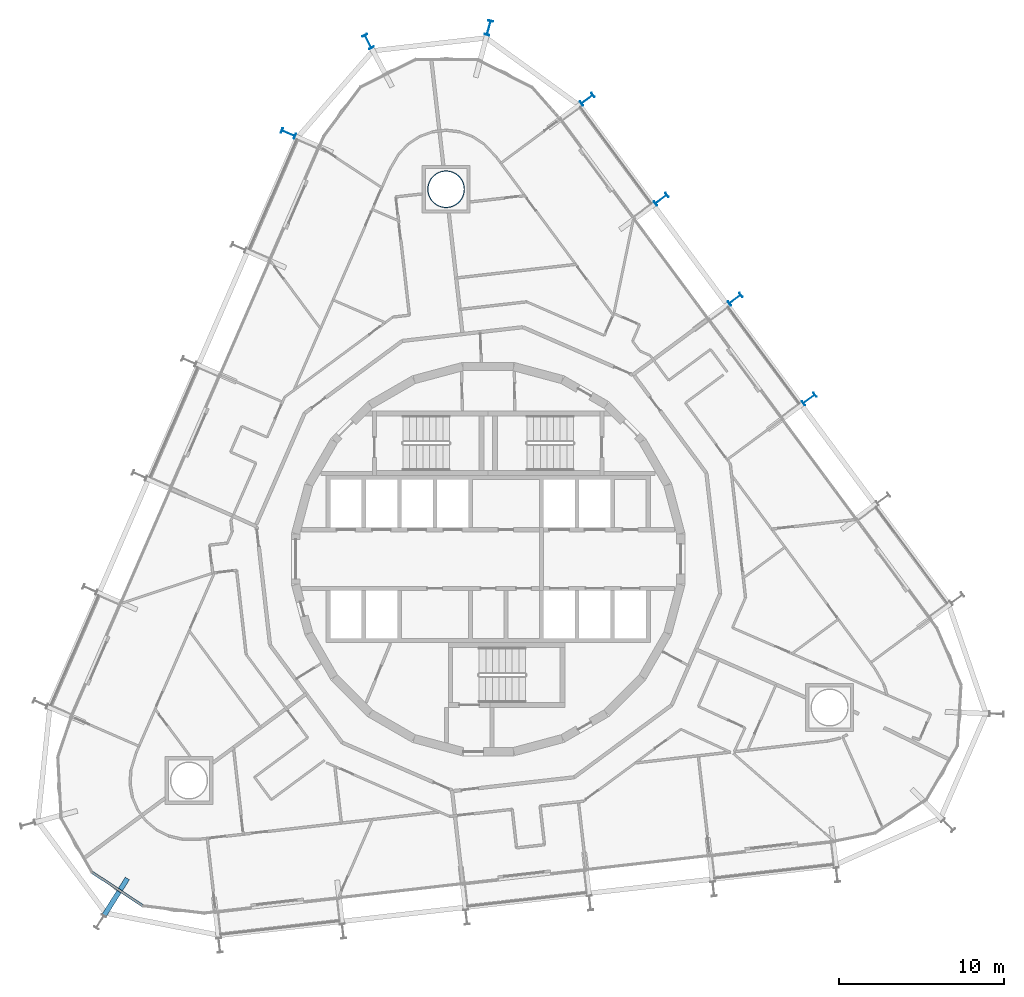
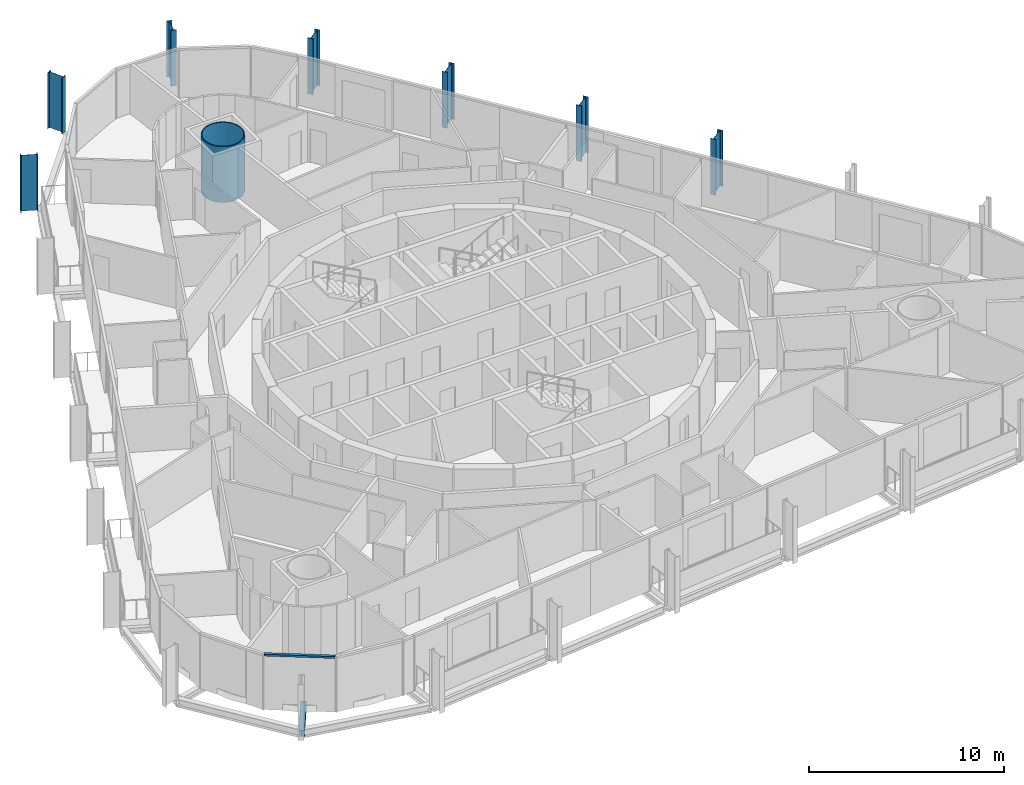
# One storey, part 2 of 22: 8 columns, 1 beam, 1 member, 1 element without a shape of its own.
"""IFC4 building model written with IfcOpenShell, lengths in metres."""

from ifc_helpers import new_model, si_unit, direction, frame, origin, origin_2d, place, context, subcontext, project, spatial, rectangle, hollow_circle, i_section, extrude, material, layer, layer_set, material_profile, profile_set, type_object, element, aggregate, save


model = new_model("IFC4")

# Units and contexts
model_context = context("Model", 3, precision=1e-05, world=origin(), true_north=direction((0.0, 1.0)))
body_context = subcontext(model_context, "Body", "Model", "MODEL_VIEW")
ifc_project = project(units=[si_unit("LENGTHUNIT", "METRE"), si_unit("AREAUNIT", "SQUARE_METRE"), si_unit("VOLUMEUNIT", "CUBIC_METRE"), si_unit("PLANEANGLEUNIT", "RADIAN"), si_unit("MASSUNIT", "GRAM", prefix="KILO")], contexts=[model_context])

# Site, building, storey
site_placement = place(None, origin())
site = spatial("IfcSite", under=ifc_project, at=site_placement, CompositionType="ELEMENT")
building_placement = place(site_placement, origin())
building = spatial("IfcBuilding", under=site, at=building_placement, Name="Spindle Arch Residences", CompositionType="ELEMENT")
storey_placement = place(building_placement, frame((0.0, 0.0, 80.199951171875)))
storey = spatial("IfcBuildingStorey", under=building, at=storey_placement, Name="L18", CompositionType="ELEMENT", Elevation=80.199951171875)

# Columns
ifc_material_1 = material(Name="Steel S460ML, intumescent coating R 240", Category="steel")
ifc_material_profile_1 = material_profile(ifc_material_1, i_section(OverallWidth=0.300048828125, OverallDepth=0.89990234375, WebThickness=0.0185546875, FlangeThickness=0.034912109375, FilletRadius=0.030029296875, at=origin_2d()), Name="HEB 900")
ifc_profile_set_1 = profile_set([ifc_material_profile_1], Name="Steel S460ML, intumescent coating R 240")
column_type_1 = type_object("IfcColumnType", Name="Exoskeleton post HEB 900", PredefinedType="COLUMN", material=ifc_profile_set_1)
for number, where, z_axis, x_axis, name in (
    (1, (19.404541015625, 9.681884765625, -0.3798828125), (0.0, 0.0, 1.0), (0.594822857897, -0.803856807972, 0.0), "Exoskeleton post 8"),
    (2, (14.93212890625, 15.72607421875, -0.3798828125), (0.0, 0.0, 1.0), (0.594822857897, -0.803856807972, 0.0), "Exoskeleton post 9"),
    (3, (10.459716796875, 21.77001953125, -0.3798828125), (0.0, 0.0, 1.0), (0.594822857897, -0.803856807972, 0.0), "Exoskeleton post 10"),
    (4, (5.987548828125, 27.814208984375, -0.3798828125), (0.0, 0.0, 1.0), (0.594822857897, -0.803856807972, 0.0), "Exoskeleton post 11"),
    (5, (0.035888671875, 32.134033203125, -0.3798828125), (0.0, 0.0, 1.0), (0.966704856799, -0.255893962102, 0.0), "Exoskeleton post 12"),
    (6, (-7.263427734375, 31.302490234375, -0.3798828125), (0.0, 0.0, 1.0), (0.884364605378, 0.466796791715, 0.0), "Exoskeleton post 13"),
    (7, (-12.0908203125, 25.75439453125, -0.3798828125), (0.0, 0.0, 1.0), (0.398749038162, 0.917060087761, 0.0), "Exoskeleton post 14"),
):
    element("IfcColumn", number, at=place(storey_placement, frame(where, z_axis=z_axis, x_axis=x_axis)), inside=storey, type_object=column_type_1, Name=name, PredefinedType="COLUMN", context=body_context, shape_type="SweptSolid", body=[
        extrude(i_section(OverallWidth=0.300048828125, OverallDepth=0.89990234375, WebThickness=0.0185546875, FlangeThickness=0.034912109375, FilletRadius=0.030029296875, at=origin_2d()), origin(), (0.0, 0.0, 1.0), 3.5),
    ])
ifc_material_2 = material(Name="Concrete C50/60 filled steel tube S460ML, intumescent coating R 240", Category="concrete")
ifc_material_profile_2 = material_profile(ifc_material_2, hollow_circle(Radius=1.125, WallThickness=0.054931640625, at=origin_2d()), Name="CFT D2250x55")
ifc_profile_set_2 = profile_set([ifc_material_profile_2], Name="Concrete C50/60 filled steel tube S460ML, intumescent coating R 240")
column_type_2 = type_object("IfcColumnType", Name="Mega-column CFT D2250x55", PredefinedType="COLUMN", material=ifc_profile_set_2)
column_placement = place(storey_placement, frame((-2.548828125, 22.370361328125, -0.3798828125), z_axis=(0.0, 0.0, 1.0), x_axis=(1.0, 0.0, 0.0)))
element("IfcColumn", 8, at=column_placement, inside=storey, type_object=column_type_2, Name="Mega-column 2", PredefinedType="COLUMN", context=body_context, shape_type="SweptSolid", body=[
    extrude(hollow_circle(Radius=1.125, WallThickness=0.054931640625, at=origin_2d()), origin(), (0.0, 0.0, 1.0), 3.5),
])

# Curtain wall, member
ifc_material_3 = material(Name="Aluminium bronze unitised frame with tinted glass", Category="aluminium")
ifc_layer = layer(ifc_material_3, 0.159912109375)
ifc_layer_set = layer_set([ifc_layer], Name="CW-D corner wall on the fillet arcs")
curtain_wall_type = type_object("IfcCurtainWallType", Name="CW-D corner wall on the fillet arcs", PredefinedType="NOTDEFINED", material=ifc_layer_set)
curtain_wall_placement = place(storey_placement, origin())
curtain_wall = element("IfcCurtainWall", 9, at=curtain_wall_placement, inside=storey, type_object=curtain_wall_type, Name="CW-D L18 run 5", PredefinedType="NOTDEFINED")
ifc_material_4 = material(Name="Aluminium bronze anodised transom", Category="aluminium")
ifc_material_profile_3 = material_profile(ifc_material_4, rectangle(XDim=0.159912109375, YDim=0.1201171875, at=origin_2d()), Name="TR 120x160")
ifc_profile_set_3 = profile_set([ifc_material_profile_3], Name="Aluminium bronze anodised transom")
member_type = type_object("IfcMemberType", Name="Bronze transom 120x160", PredefinedType="USERDEFINED", material=ifc_profile_set_3)
member_placement = place(storey_placement, frame((-23.967041015625, -18.936767578125, 3.06005859375), z_axis=(0.833899758412, -0.551915929214, 0.0), x_axis=(0.551915929214, 0.833899758412, 0.0)))
member = element("IfcMember", 10, at=member_placement, type_object=member_type, Name="CW-D transom 03", ObjectType="TRANSOM", PredefinedType="USERDEFINED", context=body_context, shape_type="SweptSolid", body=[
    extrude(rectangle(XDim=0.159912109375, YDim=0.1201171875, at=origin_2d()), origin(), (0.0, 0.0, 1.0), 3.666748046875),
])
aggregate(curtain_wall, [member])

# Beam
ifc_material_5 = material(Name="Steel S460ML, intumescent coating R 120", Category="steel")
ifc_material_profile_4 = material_profile(ifc_material_5, i_section(OverallWidth=0.300048828125, OverallDepth=0.389892578125, WebThickness=0.010986328125, FlangeThickness=0.01904296875, FilletRadius=0.027099609375, at=origin_2d()), Name="HEA 400")
ifc_profile_set_4 = profile_set([ifc_material_profile_4], Name="Steel S460ML, intumescent coating R 120")
beam_type = type_object("IfcBeamType", Name="Floor outrigger HEA 400", PredefinedType="BEAM", material=ifc_profile_set_4)
beam_placement = place(storey_placement, frame((-23.2373046875, -21.560546875, -0.574951171875), z_axis=(0.532414919102, 0.846483522532, 0.0), x_axis=(-0.846483522532, 0.532414919102, 0.0)))
element("IfcBeam", 11, at=beam_placement, inside=storey, type_object=beam_type, Name="Floor outrigger 21", PredefinedType="BEAM", context=body_context, shape_type="SweptSolid", body=[
    extrude(i_section(OverallWidth=0.300048828125, OverallDepth=0.389892578125, WebThickness=0.010986328125, FlangeThickness=0.01904296875, FilletRadius=0.027099609375, at=origin_2d()), origin(), (0.0, 0.0, 1.0), 2.64990234375),
])

save(model, "model.ifc")
